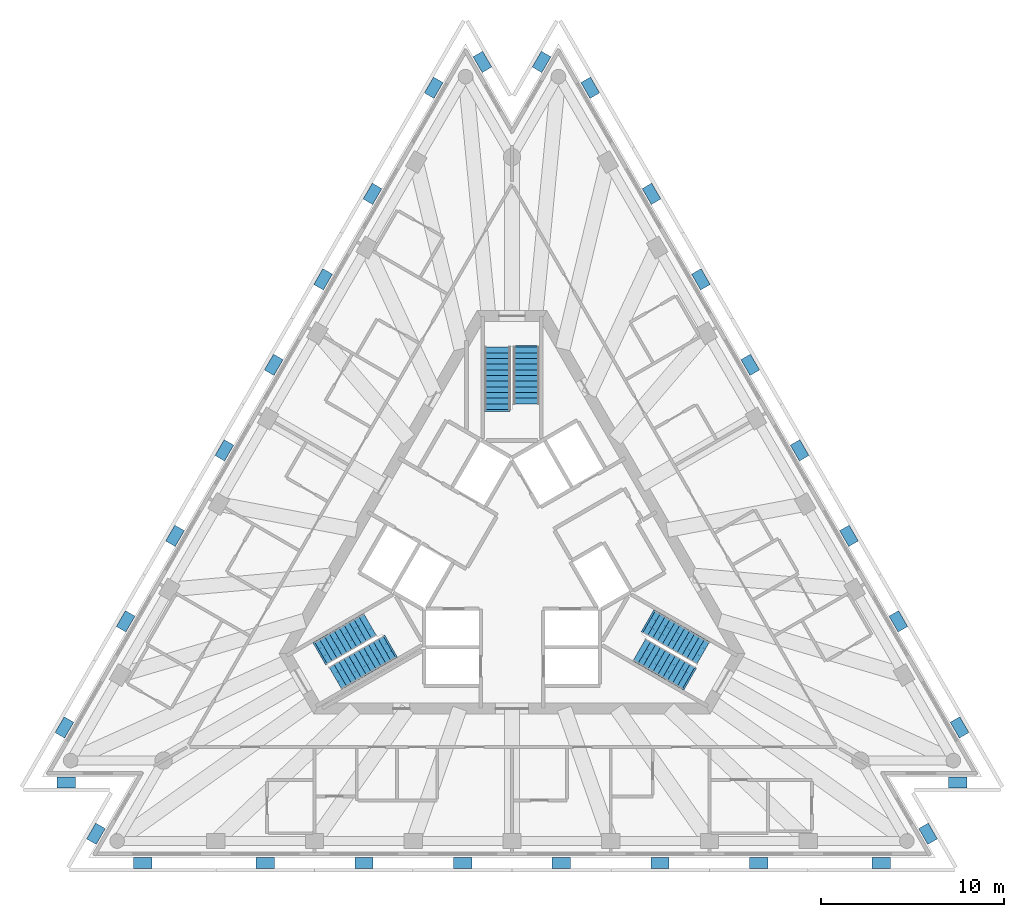
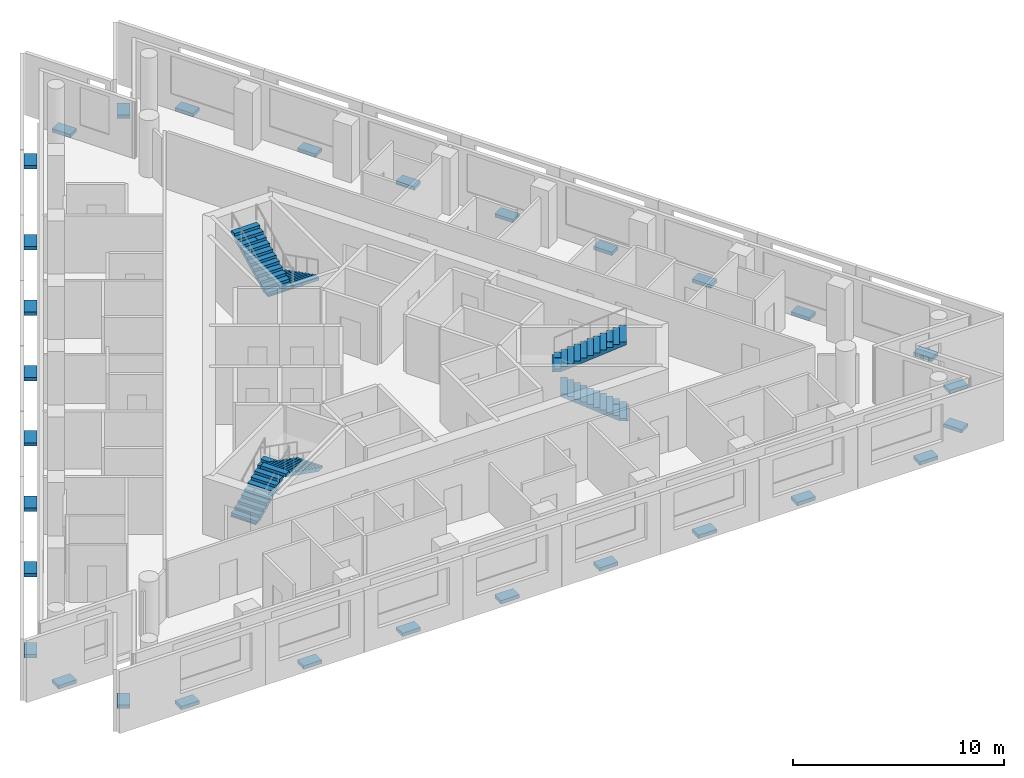
# One storey, part 8 of 10: 30 discrete accessories, 6 stair flights, 3 elements without a shape of their own.
"""IFC4 building model written with IfcOpenShell, lengths in metres."""

from ifc_helpers import new_model, si_unit, direction, frame, origin, origin_2d, place, context, subcontext, project, spatial, polyline, rectangle, outline, extrude, material, type_object, element, aggregate, save


model = new_model("IFC4")

# Units and contexts
model_context = context("Model", 3, precision=1e-05, world=origin(), true_north=direction((0.0, 1.0)))
body_context = subcontext(model_context, "Body", "Model", "MODEL_VIEW")
ifc_project = project(units=[si_unit("LENGTHUNIT", "METRE"), si_unit("AREAUNIT", "SQUARE_METRE"), si_unit("VOLUMEUNIT", "CUBIC_METRE"), si_unit("PLANEANGLEUNIT", "RADIAN"), si_unit("MASSUNIT", "GRAM", prefix="KILO")], contexts=[model_context])

# Site, building, storey
site_placement = place(None, origin())
site = spatial("IfcSite", under=ifc_project, at=site_placement, CompositionType="ELEMENT")
building_placement = place(site_placement, origin())
building = spatial("IfcBuilding", under=site, at=building_placement, Name="Triada Interchange Tower", CompositionType="ELEMENT")
storey_placement = place(building_placement, frame((0.0, 0.0, 293.5)))
storey = spatial("IfcBuildingStorey", under=building, at=storey_placement, Name="L69", CompositionType="ELEMENT", Elevation=293.5)

# Stair, stair flights
ifc_material_1 = material(Name="Concrete C35/45", Category="concrete")
stair_type = type_object("IfcStairType", Name="HALF TURN STAIR 1400", PredefinedType="HALF_TURN_STAIR", material=ifc_material_1)
stair_1_placement = place(storey_placement, origin())
stair_1 = element("IfcStair", 1, at=stair_1_placement, inside=storey, type_object=stair_type, Name="Exit stair S68-1", PredefinedType="HALF_TURN_STAIR")
stair_flight_type = type_object("IfcStairFlightType", Name="STRAIGHT STAIR FLIGHT 1400", PredefinedType="STRAIGHT", material=ifc_material_1)
stair_flight_1_placement = place(storey_placement, frame((0.800048828125, 11.60009765625, 0.0), z_axis=(0.0, 0.0, 1.0), x_axis=(0.0, -1.0, 0.0)))
stair_flight_1 = element("IfcStairFlight", 2, at=stair_flight_1_placement, type_object=stair_flight_type, Name="S68-1 flight 1", NumberOfRisers=11, NumberOfTreads=10, PredefinedType="STRAIGHT", RiserHeight=0.15652, TreadLength=0.31, context=body_context, shape_type="SweptSolid", body=[
    extrude(outline(polyline([(-0.10009765625, 0.0), (-0.10009765625, 0.02001953125), (0.0, 0.02001953125), (0.0, 0.156494140625), (0.31005859375, 0.156494140625), (0.31005859375, 0.31298828125), (0.6201171875, 0.31298828125), (0.6201171875, 0.469482421875), (0.929931640625, 0.469482421875), (0.929931640625, 0.6259765625), (1.239990234375, 0.6259765625), (1.239990234375, 0.78271484375), (1.550048828125, 0.78271484375), (1.550048828125, 0.939208984375), (1.860107421875, 0.939208984375), (1.860107421875, 1.095703125), (2.169921875, 1.095703125), (2.169921875, 1.252197265625), (2.47998046875, 1.252197265625), (2.47998046875, 1.40869140625), (2.7900390625, 1.40869140625), (2.7900390625, 1.565185546875), (3.10009765625, 1.565185546875), (3.10400390625, 1.565185546875), (3.10400390625, 1.7216796875), (3.10400390625, 1.397216796875), (0.33251953125, 0.0), (-0.10009765625, 0.0)])), frame((0.0, 0.699951171875, 0.0), z_axis=(0.0, -1.0, 0.0), x_axis=(1.0, 0.0, 0.0)), (0.0, 0.0, 1.0), 0.46533203125),
    extrude(outline(polyline([(-0.10009765625, 0.0), (-0.10009765625, 0.02001953125), (0.0, 0.02001953125), (0.0, 0.156494140625), (0.31005859375, 0.156494140625), (0.31005859375, 0.31298828125), (0.6201171875, 0.31298828125), (0.6201171875, 0.469482421875), (0.929931640625, 0.469482421875), (0.929931640625, 0.6259765625), (1.239990234375, 0.6259765625), (1.239990234375, 0.78271484375), (1.550048828125, 0.78271484375), (1.550048828125, 0.939208984375), (1.860107421875, 0.939208984375), (1.860107421875, 1.095703125), (2.169921875, 1.095703125), (2.169921875, 1.252197265625), (2.47998046875, 1.252197265625), (2.47998046875, 1.40869140625), (2.7900390625, 1.40869140625), (2.7900390625, 1.565185546875), (3.10009765625, 1.565185546875), (3.10400390625, 1.565185546875), (3.10400390625, 1.7216796875), (3.10400390625, 1.397216796875), (0.33251953125, 0.0), (-0.10009765625, 0.0)])), frame((0.0, 0.232666015625, 0.0), z_axis=(0.0, -1.0, 0.0), x_axis=(1.0, 0.0, 0.0)), (0.0, 0.0, 1.0), 0.46533203125),
    extrude(outline(polyline([(-0.10009765625, 0.0), (-0.10009765625, 0.02001953125), (0.0, 0.02001953125), (0.0, 0.156494140625), (0.31005859375, 0.156494140625), (0.31005859375, 0.31298828125), (0.6201171875, 0.31298828125), (0.6201171875, 0.469482421875), (0.929931640625, 0.469482421875), (0.929931640625, 0.6259765625), (1.239990234375, 0.6259765625), (1.239990234375, 0.78271484375), (1.550048828125, 0.78271484375), (1.550048828125, 0.939208984375), (1.860107421875, 0.939208984375), (1.860107421875, 1.095703125), (2.169921875, 1.095703125), (2.169921875, 1.252197265625), (2.47998046875, 1.252197265625), (2.47998046875, 1.40869140625), (2.7900390625, 1.40869140625), (2.7900390625, 1.565185546875), (3.10009765625, 1.565185546875), (3.10400390625, 1.565185546875), (3.10400390625, 1.7216796875), (3.10400390625, 1.397216796875), (0.33251953125, 0.0), (-0.10009765625, 0.0)])), frame((0.0, -0.234619140625, 0.0), z_axis=(0.0, -1.0, 0.0), x_axis=(1.0, 0.0, 0.0)), (0.0, 0.0, 1.0), 0.46533203125),
])
stair_flight_2_placement = place(storey_placement, frame((-0.800048828125, 8.18994140625, 1.7216796875), z_axis=(0.0, 0.0, 1.0), x_axis=(0.0, 1.0, 0.0)))
stair_flight_2 = element("IfcStairFlight", 3, at=stair_flight_2_placement, type_object=stair_flight_type, Name="S68-1 flight 2", NumberOfRisers=12, NumberOfTreads=11, PredefinedType="STRAIGHT", RiserHeight=0.15652, TreadLength=0.31, context=body_context, shape_type="SweptSolid", body=[
    extrude(outline(polyline([(-0.10009765625, 0.0), (-0.10009765625, 0.02001953125), (0.0, 0.02001953125), (0.0, 0.156494140625), (0.31005859375, 0.156494140625), (0.31005859375, 0.31298828125), (0.6201171875, 0.31298828125), (0.6201171875, 0.469482421875), (0.929931640625, 0.469482421875), (0.929931640625, 0.6259765625), (1.239990234375, 0.6259765625), (1.239990234375, 0.78271484375), (1.550048828125, 0.78271484375), (1.550048828125, 0.939208984375), (1.860107421875, 0.939208984375), (1.860107421875, 1.095703125), (2.169921875, 1.095703125), (2.169921875, 1.252197265625), (2.47998046875, 1.252197265625), (2.47998046875, 1.40869140625), (2.7900390625, 1.40869140625), (2.7900390625, 1.565185546875), (3.10009765625, 1.565185546875), (3.10009765625, 1.7216796875), (3.409912109375, 1.7216796875), (3.4140625, 1.7216796875), (3.4140625, 1.878173828125), (3.4140625, 1.5537109375), (0.33251953125, 0.0), (-0.10009765625, 0.0)])), frame((0.0, 0.699951171875, 0.0), z_axis=(0.0, -1.0, 0.0), x_axis=(1.0, 0.0, 0.0)), (0.0, 0.0, 1.0), 0.46533203125),
    extrude(outline(polyline([(-0.10009765625, 0.0), (-0.10009765625, 0.02001953125), (0.0, 0.02001953125), (0.0, 0.156494140625), (0.31005859375, 0.156494140625), (0.31005859375, 0.31298828125), (0.6201171875, 0.31298828125), (0.6201171875, 0.469482421875), (0.929931640625, 0.469482421875), (0.929931640625, 0.6259765625), (1.239990234375, 0.6259765625), (1.239990234375, 0.78271484375), (1.550048828125, 0.78271484375), (1.550048828125, 0.939208984375), (1.860107421875, 0.939208984375), (1.860107421875, 1.095703125), (2.169921875, 1.095703125), (2.169921875, 1.252197265625), (2.47998046875, 1.252197265625), (2.47998046875, 1.40869140625), (2.7900390625, 1.40869140625), (2.7900390625, 1.565185546875), (3.10009765625, 1.565185546875), (3.10009765625, 1.7216796875), (3.409912109375, 1.7216796875), (3.4140625, 1.7216796875), (3.4140625, 1.878173828125), (3.4140625, 1.5537109375), (0.33251953125, 0.0), (-0.10009765625, 0.0)])), frame((0.0, 0.232666015625, 0.0), z_axis=(0.0, -1.0, 0.0), x_axis=(1.0, 0.0, 0.0)), (0.0, 0.0, 1.0), 0.46533203125),
    extrude(outline(polyline([(-0.10009765625, 0.0), (-0.10009765625, 0.02001953125), (0.0, 0.02001953125), (0.0, 0.156494140625), (0.31005859375, 0.156494140625), (0.31005859375, 0.31298828125), (0.6201171875, 0.31298828125), (0.6201171875, 0.469482421875), (0.929931640625, 0.469482421875), (0.929931640625, 0.6259765625), (1.239990234375, 0.6259765625), (1.239990234375, 0.78271484375), (1.550048828125, 0.78271484375), (1.550048828125, 0.939208984375), (1.860107421875, 0.939208984375), (1.860107421875, 1.095703125), (2.169921875, 1.095703125), (2.169921875, 1.252197265625), (2.47998046875, 1.252197265625), (2.47998046875, 1.40869140625), (2.7900390625, 1.40869140625), (2.7900390625, 1.565185546875), (3.10009765625, 1.565185546875), (3.10009765625, 1.7216796875), (3.409912109375, 1.7216796875), (3.4140625, 1.7216796875), (3.4140625, 1.878173828125), (3.4140625, 1.5537109375), (0.33251953125, 0.0), (-0.10009765625, 0.0)])), frame((0.0, -0.234619140625, 0.0), z_axis=(0.0, -1.0, 0.0), x_axis=(1.0, 0.0, 0.0)), (0.0, 0.0, 1.0), 0.46533203125),
])
aggregate(stair_1, [stair_flight_1, stair_flight_2])

stair_2_placement = place(storey_placement, origin())
stair_2 = element("IfcStair", 4, at=stair_2_placement, inside=storey, type_object=stair_type, Name="Exit stair S68-2", PredefinedType="HALF_TURN_STAIR")
stair_flight_3_placement = place(storey_placement, frame((-10.446044921875, -5.10693359375, 0.0), z_axis=(0.0, 0.0, 1.0), x_axis=(0.866025403784, 0.5, 0.0)))
stair_flight_3 = element("IfcStairFlight", 5, at=stair_flight_3_placement, type_object=stair_flight_type, Name="S68-2 flight 1", NumberOfRisers=11, NumberOfTreads=10, PredefinedType="STRAIGHT", RiserHeight=0.15652, TreadLength=0.31, context=body_context, shape_type="SweptSolid", body=[
    extrude(outline(polyline([(-0.10009765625, 0.0), (-0.10009765625, 0.02001953125), (0.0, 0.02001953125), (0.0, 0.156494140625), (0.31005859375, 0.156494140625), (0.31005859375, 0.31298828125), (0.6201171875, 0.31298828125), (0.6201171875, 0.469482421875), (0.929931640625, 0.469482421875), (0.929931640625, 0.6259765625), (1.239990234375, 0.6259765625), (1.239990234375, 0.78271484375), (1.550048828125, 0.78271484375), (1.550048828125, 0.939208984375), (1.860107421875, 0.939208984375), (1.860107421875, 1.095703125), (2.169921875, 1.095703125), (2.169921875, 1.252197265625), (2.47998046875, 1.252197265625), (2.47998046875, 1.40869140625), (2.7900390625, 1.40869140625), (2.7900390625, 1.565185546875), (3.10009765625, 1.565185546875), (3.10400390625, 1.565185546875), (3.10400390625, 1.7216796875), (3.10400390625, 1.397216796875), (0.33251953125, 0.0), (-0.10009765625, 0.0)])), frame((0.0, 0.699951171875, 0.0), z_axis=(0.0, -1.0, 0.0), x_axis=(1.0, 0.0, 0.0)), (0.0, 0.0, 1.0), 0.46533203125),
    extrude(outline(polyline([(-0.10009765625, 0.0), (-0.10009765625, 0.02001953125), (0.0, 0.02001953125), (0.0, 0.156494140625), (0.31005859375, 0.156494140625), (0.31005859375, 0.31298828125), (0.6201171875, 0.31298828125), (0.6201171875, 0.469482421875), (0.929931640625, 0.469482421875), (0.929931640625, 0.6259765625), (1.239990234375, 0.6259765625), (1.239990234375, 0.78271484375), (1.550048828125, 0.78271484375), (1.550048828125, 0.939208984375), (1.860107421875, 0.939208984375), (1.860107421875, 1.095703125), (2.169921875, 1.095703125), (2.169921875, 1.252197265625), (2.47998046875, 1.252197265625), (2.47998046875, 1.40869140625), (2.7900390625, 1.40869140625), (2.7900390625, 1.565185546875), (3.10009765625, 1.565185546875), (3.10400390625, 1.565185546875), (3.10400390625, 1.7216796875), (3.10400390625, 1.397216796875), (0.33251953125, 0.0), (-0.10009765625, 0.0)])), frame((0.0, 0.232666015625, 0.0), z_axis=(0.0, -1.0, 0.0), x_axis=(1.0, 0.0, 0.0)), (0.0, 0.0, 1.0), 0.46533203125),
    extrude(outline(polyline([(-0.10009765625, 0.0), (-0.10009765625, 0.02001953125), (0.0, 0.02001953125), (0.0, 0.156494140625), (0.31005859375, 0.156494140625), (0.31005859375, 0.31298828125), (0.6201171875, 0.31298828125), (0.6201171875, 0.469482421875), (0.929931640625, 0.469482421875), (0.929931640625, 0.6259765625), (1.239990234375, 0.6259765625), (1.239990234375, 0.78271484375), (1.550048828125, 0.78271484375), (1.550048828125, 0.939208984375), (1.860107421875, 0.939208984375), (1.860107421875, 1.095703125), (2.169921875, 1.095703125), (2.169921875, 1.252197265625), (2.47998046875, 1.252197265625), (2.47998046875, 1.40869140625), (2.7900390625, 1.40869140625), (2.7900390625, 1.565185546875), (3.10009765625, 1.565185546875), (3.10400390625, 1.565185546875), (3.10400390625, 1.7216796875), (3.10400390625, 1.397216796875), (0.33251953125, 0.0), (-0.10009765625, 0.0)])), frame((0.0, -0.234619140625, 0.0), z_axis=(0.0, -1.0, 0.0), x_axis=(1.0, 0.0, 0.0)), (0.0, 0.0, 1.0), 0.46533203125),
])
stair_flight_4_placement = place(storey_placement, frame((-6.693115234375, -4.7880859375, 1.7216796875), z_axis=(0.0, 0.0, 1.0), x_axis=(-0.866025403784, -0.5, 0.0)))
stair_flight_4 = element("IfcStairFlight", 6, at=stair_flight_4_placement, type_object=stair_flight_type, Name="S68-2 flight 2", NumberOfRisers=12, NumberOfTreads=11, PredefinedType="STRAIGHT", RiserHeight=0.15652, TreadLength=0.31, context=body_context, shape_type="SweptSolid", body=[
    extrude(outline(polyline([(-0.10009765625, 0.0), (-0.10009765625, 0.02001953125), (0.0, 0.02001953125), (0.0, 0.156494140625), (0.31005859375, 0.156494140625), (0.31005859375, 0.31298828125), (0.6201171875, 0.31298828125), (0.6201171875, 0.469482421875), (0.929931640625, 0.469482421875), (0.929931640625, 0.6259765625), (1.239990234375, 0.6259765625), (1.239990234375, 0.78271484375), (1.550048828125, 0.78271484375), (1.550048828125, 0.939208984375), (1.860107421875, 0.939208984375), (1.860107421875, 1.095703125), (2.169921875, 1.095703125), (2.169921875, 1.252197265625), (2.47998046875, 1.252197265625), (2.47998046875, 1.40869140625), (2.7900390625, 1.40869140625), (2.7900390625, 1.565185546875), (3.10009765625, 1.565185546875), (3.10009765625, 1.7216796875), (3.409912109375, 1.7216796875), (3.4140625, 1.7216796875), (3.4140625, 1.878173828125), (3.4140625, 1.5537109375), (0.33251953125, 0.0), (-0.10009765625, 0.0)])), frame((0.0, 0.699951171875, 0.0), z_axis=(0.0, -1.0, 0.0), x_axis=(1.0, 0.0, 0.0)), (0.0, 0.0, 1.0), 0.46533203125),
    extrude(outline(polyline([(-0.10009765625, 0.0), (-0.10009765625, 0.02001953125), (0.0, 0.02001953125), (0.0, 0.156494140625), (0.31005859375, 0.156494140625), (0.31005859375, 0.31298828125), (0.6201171875, 0.31298828125), (0.6201171875, 0.469482421875), (0.929931640625, 0.469482421875), (0.929931640625, 0.6259765625), (1.239990234375, 0.6259765625), (1.239990234375, 0.78271484375), (1.550048828125, 0.78271484375), (1.550048828125, 0.939208984375), (1.860107421875, 0.939208984375), (1.860107421875, 1.095703125), (2.169921875, 1.095703125), (2.169921875, 1.252197265625), (2.47998046875, 1.252197265625), (2.47998046875, 1.40869140625), (2.7900390625, 1.40869140625), (2.7900390625, 1.565185546875), (3.10009765625, 1.565185546875), (3.10009765625, 1.7216796875), (3.409912109375, 1.7216796875), (3.4140625, 1.7216796875), (3.4140625, 1.878173828125), (3.4140625, 1.5537109375), (0.33251953125, 0.0), (-0.10009765625, 0.0)])), frame((0.0, 0.232666015625, 0.0), z_axis=(0.0, -1.0, 0.0), x_axis=(1.0, 0.0, 0.0)), (0.0, 0.0, 1.0), 0.46533203125),
    extrude(outline(polyline([(-0.10009765625, 0.0), (-0.10009765625, 0.02001953125), (0.0, 0.02001953125), (0.0, 0.156494140625), (0.31005859375, 0.156494140625), (0.31005859375, 0.31298828125), (0.6201171875, 0.31298828125), (0.6201171875, 0.469482421875), (0.929931640625, 0.469482421875), (0.929931640625, 0.6259765625), (1.239990234375, 0.6259765625), (1.239990234375, 0.78271484375), (1.550048828125, 0.78271484375), (1.550048828125, 0.939208984375), (1.860107421875, 0.939208984375), (1.860107421875, 1.095703125), (2.169921875, 1.095703125), (2.169921875, 1.252197265625), (2.47998046875, 1.252197265625), (2.47998046875, 1.40869140625), (2.7900390625, 1.40869140625), (2.7900390625, 1.565185546875), (3.10009765625, 1.565185546875), (3.10009765625, 1.7216796875), (3.409912109375, 1.7216796875), (3.4140625, 1.7216796875), (3.4140625, 1.878173828125), (3.4140625, 1.5537109375), (0.33251953125, 0.0), (-0.10009765625, 0.0)])), frame((0.0, -0.234619140625, 0.0), z_axis=(0.0, -1.0, 0.0), x_axis=(1.0, 0.0, 0.0)), (0.0, 0.0, 1.0), 0.46533203125),
])
aggregate(stair_2, [stair_flight_3, stair_flight_4])

stair_3_placement = place(storey_placement, origin())
stair_3 = element("IfcStair", 7, at=stair_3_placement, inside=storey, type_object=stair_type, Name="Exit stair S68-3", PredefinedType="HALF_TURN_STAIR")
stair_flight_5_placement = place(storey_placement, frame((9.64599609375, -6.492919921875, 0.0), z_axis=(0.0, 0.0, 1.0), x_axis=(-0.866025403784, 0.5, 0.0)))
stair_flight_5 = element("IfcStairFlight", 8, at=stair_flight_5_placement, type_object=stair_flight_type, Name="S68-3 flight 1", NumberOfRisers=11, NumberOfTreads=10, PredefinedType="STRAIGHT", RiserHeight=0.15652, TreadLength=0.31, context=body_context, shape_type="SweptSolid", body=[
    extrude(outline(polyline([(-0.10009765625, 0.0), (-0.10009765625, 0.02001953125), (0.0, 0.02001953125), (0.0, 0.156494140625), (0.31005859375, 0.156494140625), (0.31005859375, 0.31298828125), (0.6201171875, 0.31298828125), (0.6201171875, 0.469482421875), (0.929931640625, 0.469482421875), (0.929931640625, 0.6259765625), (1.239990234375, 0.6259765625), (1.239990234375, 0.78271484375), (1.550048828125, 0.78271484375), (1.550048828125, 0.939208984375), (1.860107421875, 0.939208984375), (1.860107421875, 1.095703125), (2.169921875, 1.095703125), (2.169921875, 1.252197265625), (2.47998046875, 1.252197265625), (2.47998046875, 1.40869140625), (2.7900390625, 1.40869140625), (2.7900390625, 1.565185546875), (3.10009765625, 1.565185546875), (3.10400390625, 1.565185546875), (3.10400390625, 1.7216796875), (3.10400390625, 1.397216796875), (0.33251953125, 0.0), (-0.10009765625, 0.0)])), frame((0.0, 0.699951171875, 0.0), z_axis=(0.0, -1.0, 0.0), x_axis=(1.0, 0.0, 0.0)), (0.0, 0.0, 1.0), 0.46533203125),
    extrude(outline(polyline([(-0.10009765625, 0.0), (-0.10009765625, 0.02001953125), (0.0, 0.02001953125), (0.0, 0.156494140625), (0.31005859375, 0.156494140625), (0.31005859375, 0.31298828125), (0.6201171875, 0.31298828125), (0.6201171875, 0.469482421875), (0.929931640625, 0.469482421875), (0.929931640625, 0.6259765625), (1.239990234375, 0.6259765625), (1.239990234375, 0.78271484375), (1.550048828125, 0.78271484375), (1.550048828125, 0.939208984375), (1.860107421875, 0.939208984375), (1.860107421875, 1.095703125), (2.169921875, 1.095703125), (2.169921875, 1.252197265625), (2.47998046875, 1.252197265625), (2.47998046875, 1.40869140625), (2.7900390625, 1.40869140625), (2.7900390625, 1.565185546875), (3.10009765625, 1.565185546875), (3.10400390625, 1.565185546875), (3.10400390625, 1.7216796875), (3.10400390625, 1.397216796875), (0.33251953125, 0.0), (-0.10009765625, 0.0)])), frame((0.0, 0.232666015625, 0.0), z_axis=(0.0, -1.0, 0.0), x_axis=(1.0, 0.0, 0.0)), (0.0, 0.0, 1.0), 0.46533203125),
    extrude(outline(polyline([(-0.10009765625, 0.0), (-0.10009765625, 0.02001953125), (0.0, 0.02001953125), (0.0, 0.156494140625), (0.31005859375, 0.156494140625), (0.31005859375, 0.31298828125), (0.6201171875, 0.31298828125), (0.6201171875, 0.469482421875), (0.929931640625, 0.469482421875), (0.929931640625, 0.6259765625), (1.239990234375, 0.6259765625), (1.239990234375, 0.78271484375), (1.550048828125, 0.78271484375), (1.550048828125, 0.939208984375), (1.860107421875, 0.939208984375), (1.860107421875, 1.095703125), (2.169921875, 1.095703125), (2.169921875, 1.252197265625), (2.47998046875, 1.252197265625), (2.47998046875, 1.40869140625), (2.7900390625, 1.40869140625), (2.7900390625, 1.565185546875), (3.10009765625, 1.565185546875), (3.10400390625, 1.565185546875), (3.10400390625, 1.7216796875), (3.10400390625, 1.397216796875), (0.33251953125, 0.0), (-0.10009765625, 0.0)])), frame((0.0, -0.234619140625, 0.0), z_axis=(0.0, -1.0, 0.0), x_axis=(1.0, 0.0, 0.0)), (0.0, 0.0, 1.0), 0.46533203125),
])
stair_flight_6_placement = place(storey_placement, frame((7.492919921875, -3.402099609375, 1.7216796875), z_axis=(0.0, 0.0, 1.0), x_axis=(0.866025403784, -0.5, 0.0)))
stair_flight_6 = element("IfcStairFlight", 9, at=stair_flight_6_placement, type_object=stair_flight_type, Name="S68-3 flight 2", NumberOfRisers=12, NumberOfTreads=11, PredefinedType="STRAIGHT", RiserHeight=0.15652, TreadLength=0.31, context=body_context, shape_type="SweptSolid", body=[
    extrude(outline(polyline([(-0.10009765625, 0.0), (-0.10009765625, 0.02001953125), (0.0, 0.02001953125), (0.0, 0.156494140625), (0.31005859375, 0.156494140625), (0.31005859375, 0.31298828125), (0.6201171875, 0.31298828125), (0.6201171875, 0.469482421875), (0.929931640625, 0.469482421875), (0.929931640625, 0.6259765625), (1.239990234375, 0.6259765625), (1.239990234375, 0.78271484375), (1.550048828125, 0.78271484375), (1.550048828125, 0.939208984375), (1.860107421875, 0.939208984375), (1.860107421875, 1.095703125), (2.169921875, 1.095703125), (2.169921875, 1.252197265625), (2.47998046875, 1.252197265625), (2.47998046875, 1.40869140625), (2.7900390625, 1.40869140625), (2.7900390625, 1.565185546875), (3.10009765625, 1.565185546875), (3.10009765625, 1.7216796875), (3.409912109375, 1.7216796875), (3.4140625, 1.7216796875), (3.4140625, 1.878173828125), (3.4140625, 1.5537109375), (0.33251953125, 0.0), (-0.10009765625, 0.0)])), frame((0.0, 0.699951171875, 0.0), z_axis=(0.0, -1.0, 0.0), x_axis=(1.0, 0.0, 0.0)), (0.0, 0.0, 1.0), 0.46533203125),
    extrude(outline(polyline([(-0.10009765625, 0.0), (-0.10009765625, 0.02001953125), (0.0, 0.02001953125), (0.0, 0.156494140625), (0.31005859375, 0.156494140625), (0.31005859375, 0.31298828125), (0.6201171875, 0.31298828125), (0.6201171875, 0.469482421875), (0.929931640625, 0.469482421875), (0.929931640625, 0.6259765625), (1.239990234375, 0.6259765625), (1.239990234375, 0.78271484375), (1.550048828125, 0.78271484375), (1.550048828125, 0.939208984375), (1.860107421875, 0.939208984375), (1.860107421875, 1.095703125), (2.169921875, 1.095703125), (2.169921875, 1.252197265625), (2.47998046875, 1.252197265625), (2.47998046875, 1.40869140625), (2.7900390625, 1.40869140625), (2.7900390625, 1.565185546875), (3.10009765625, 1.565185546875), (3.10009765625, 1.7216796875), (3.409912109375, 1.7216796875), (3.4140625, 1.7216796875), (3.4140625, 1.878173828125), (3.4140625, 1.5537109375), (0.33251953125, 0.0), (-0.10009765625, 0.0)])), frame((0.0, 0.232666015625, 0.0), z_axis=(0.0, -1.0, 0.0), x_axis=(1.0, 0.0, 0.0)), (0.0, 0.0, 1.0), 0.46533203125),
    extrude(outline(polyline([(-0.10009765625, 0.0), (-0.10009765625, 0.02001953125), (0.0, 0.02001953125), (0.0, 0.156494140625), (0.31005859375, 0.156494140625), (0.31005859375, 0.31298828125), (0.6201171875, 0.31298828125), (0.6201171875, 0.469482421875), (0.929931640625, 0.469482421875), (0.929931640625, 0.6259765625), (1.239990234375, 0.6259765625), (1.239990234375, 0.78271484375), (1.550048828125, 0.78271484375), (1.550048828125, 0.939208984375), (1.860107421875, 0.939208984375), (1.860107421875, 1.095703125), (2.169921875, 1.095703125), (2.169921875, 1.252197265625), (2.47998046875, 1.252197265625), (2.47998046875, 1.40869140625), (2.7900390625, 1.40869140625), (2.7900390625, 1.565185546875), (3.10009765625, 1.565185546875), (3.10009765625, 1.7216796875), (3.409912109375, 1.7216796875), (3.4140625, 1.7216796875), (3.4140625, 1.878173828125), (3.4140625, 1.5537109375), (0.33251953125, 0.0), (-0.10009765625, 0.0)])), frame((0.0, -0.234619140625, 0.0), z_axis=(0.0, -1.0, 0.0), x_axis=(1.0, 0.0, 0.0)), (0.0, 0.0, 1.0), 0.46533203125),
])
aggregate(stair_3, [stair_flight_5, stair_flight_6])

# Discrete accessories
ifc_material_2 = material(Name="Steel S355", Category="steel")
discrete_accessory_type = type_object("IfcDiscreteAccessoryType", Name="Steel bracket outer skin", PredefinedType="BRACKET", material=ifc_material_2)
for number, where, z_axis, x_axis, name in (
    (10, (-4.277099609375, 25.77099609375, -0.27001953125), (0.0, 0.0, 1.0), (-0.866022925406, 0.500004292652, 0.0), "Bracket L69 01"),
    (11, (-7.6240234375, 19.97412109375, -0.27001953125), (0.0, 0.0, 1.0), (-0.866022925406, 0.500004292652, 0.0), "Bracket L69 02"),
    (12, (-10.321044921875, 15.302978515625, -0.27001953125), (0.0, 0.0, 1.0), (-0.866022925406, 0.500004292652, 0.0), "Bracket L69 03"),
    (13, (-13.01904296875, 10.631103515625, -0.27001953125), (0.0, 0.0, 1.0), (-0.866022925406, 0.500004292652, 0.0), "Bracket L69 04"),
    (14, (-15.716064453125, 5.958984375, -0.27001953125), (0.0, 0.0, 1.0), (-0.866022925406, 0.500004292652, 0.0), "Bracket L69 05"),
    (15, (-18.4130859375, 1.287109375, -0.27001953125), (0.0, 0.0, 1.0), (-0.866022925406, 0.500004292652, 0.0), "Bracket L69 06"),
    (16, (-21.110107421875, -3.384033203125, -0.27001953125), (0.0, 0.0, 1.0), (-0.866022925406, 0.500004292652, 0.0), "Bracket L69 07"),
    (17, (-24.45703125, -9.180908203125, -0.27001953125), (0.0, 0.0, 1.0), (-0.866022925406, 0.500004292652, 0.0), "Bracket L69 08"),
    (18, (-24.34912109375, -12.19189453125, -0.27001953125), (0.0, 0.0, 1.0), (0.0, -1.0, 0.0), "Bracket L69 09"),
    (19, (-22.73291015625, -14.990966796875, -0.27001953125), (0.0, 0.0, 1.0), (-0.866041303296, 0.499972460227, 0.0), "Bracket L69 10"),
    (20, (-20.178955078125, -16.590087890625, -0.27001953125), (0.0, 0.0, 1.0), (0.0, -1.0, 0.0), "Bracket L69 11"),
    (21, (-13.486083984375, -16.590087890625, -0.27001953125), (0.0, 0.0, 1.0), (0.0, -1.0, 0.0), "Bracket L69 12"),
    (22, (-8.091064453125, -16.590087890625, -0.27001953125), (0.0, 0.0, 1.0), (0.0, -1.0, 0.0), "Bracket L69 13"),
    (23, (-2.697021484375, -16.590087890625, -0.27001953125), (0.0, 0.0, 1.0), (0.0, -1.0, 0.0), "Bracket L69 14"),
    (24, (2.697021484375, -16.590087890625, -0.27001953125), (0.0, 0.0, 1.0), (0.0, -1.0, 0.0), "Bracket L69 15"),
    (25, (8.091064453125, -16.590087890625, -0.27001953125), (0.0, 0.0, 1.0), (0.0, -1.0, 0.0), "Bracket L69 16"),
    (26, (13.486083984375, -16.590087890625, -0.27001953125), (0.0, 0.0, 1.0), (0.0, -1.0, 0.0), "Bracket L69 17"),
    (27, (20.178955078125, -16.590087890625, -0.27001953125), (0.0, 0.0, 1.0), (0.0, -1.0, 0.0), "Bracket L69 18"),
    (28, (22.73291015625, -14.990966796875, -0.27001953125), (0.0, 0.0, 1.0), (0.866041303296, 0.499972460227, 0.0), "Bracket L69 19"),
    (29, (24.34912109375, -12.19189453125, -0.27001953125), (0.0, 0.0, 1.0), (0.0, -1.0, 0.0), "Bracket L69 20"),
    (30, (24.45703125, -9.180908203125, -0.27001953125), (0.0, 0.0, 1.0), (0.866022925406, 0.500004292652, 0.0), "Bracket L69 21"),
    (31, (21.110107421875, -3.384033203125, -0.27001953125), (0.0, 0.0, 1.0), (0.866022925406, 0.500004292652, 0.0), "Bracket L69 22"),
    (32, (18.4130859375, 1.287109375, -0.27001953125), (0.0, 0.0, 1.0), (0.866022925406, 0.500004292652, 0.0), "Bracket L69 23"),
    (33, (15.716064453125, 5.958984375, -0.27001953125), (0.0, 0.0, 1.0), (0.866022925406, 0.500004292652, 0.0), "Bracket L69 24"),
    (34, (13.01904296875, 10.631103515625, -0.27001953125), (0.0, 0.0, 1.0), (0.866022925406, 0.500004292652, 0.0), "Bracket L69 25"),
    (35, (10.321044921875, 15.302978515625, -0.27001953125), (0.0, 0.0, 1.0), (0.866022925406, 0.500004292652, 0.0), "Bracket L69 26"),
    (36, (7.6240234375, 19.97412109375, -0.27001953125), (0.0, 0.0, 1.0), (0.866022925406, 0.500004292652, 0.0), "Bracket L69 27"),
    (37, (4.277099609375, 25.77099609375, -0.27001953125), (0.0, 0.0, 1.0), (0.866022925406, 0.500004292652, 0.0), "Bracket L69 28"),
    (38, (1.615966796875, 27.18310546875, -0.27001953125), (0.0, 0.0, 1.0), (-0.866090514674, 0.499887207669, 0.0), "Bracket L69 29"),
    (39, (-1.615966796875, 27.18310546875, -0.27001953125), (0.0, 0.0, 1.0), (0.866090514674, 0.499887207669, 0.0), "Bracket L69 30"),
):
    element("IfcDiscreteAccessory", number, at=place(storey_placement, frame(where, z_axis=z_axis, x_axis=x_axis)), inside=storey, type_object=discrete_accessory_type, Name=name, PredefinedType="BRACKET", context=body_context, shape_type="SweptSolid", body=[
        extrude(rectangle(XDim=0.60009765625, YDim=1.0, at=origin_2d()), origin(), (0.0, 0.0, 1.0), 0.199951171875),
    ])

save(model, "model.ifc")
